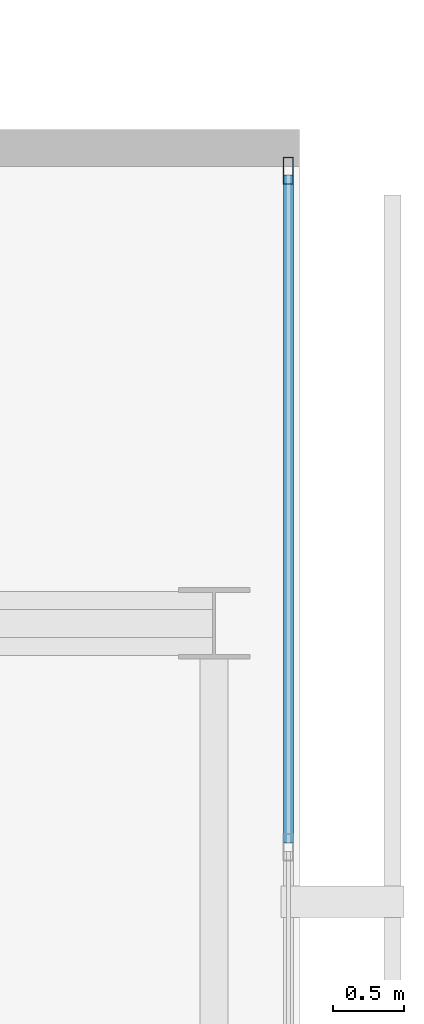
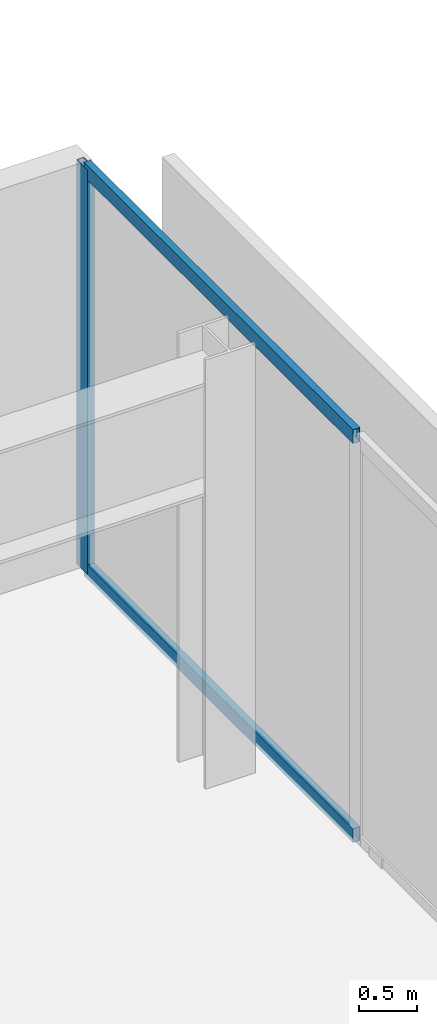
# One storey, part 15 of 23: 3 members, 1 element without a shape of its own.
"""IFC4 building model written with IfcOpenShell, lengths in metres."""

import ifcopenshell
import ifcopenshell.guid

model = None  # the IFC model being written
_history = None  # IfcOwnerHistory: only IFC2X3 demands one
_inside = {}  # id of a spatial element -> (the spatial element, [elements in it])
_under = {}  # id of a project, library or spatial element -> (it, [spatial elements below it])
_declared = {}  # id of a project -> (the project, [libraries it declares])
_typed = {}  # id of a type object -> (the type object, [elements of that type])
_made_of = {}  # id of a material, layer set ... -> (it, [elements and type objects made of it])


def new_model(schema):
    """Start an empty IFC model of exactly this schema.

    Asked for "IFC4X3", IfcOpenShell would pick the latest addendum, in which some entities
    have other attributes; the version numbers below select the first issue.
    IFC2X3 requires an IfcOwnerHistory on every rooted entity: one is made here for all.
    """
    global model, _history
    if schema == "IFC4X3":
        model = ifcopenshell.file(schema_version=(4, 3, 0, 0))
    else:
        model = ifcopenshell.file(schema=schema)
    _inside.clear()
    _under.clear()
    _declared.clear()
    _typed.clear()
    _made_of.clear()
    _history = None
    if model.schema == "IFC2X3":
        org = make("IfcOrganization", Name="unknown")
        user = make(
            "IfcPersonAndOrganization",
            ThePerson=make("IfcPerson", FamilyName="unknown"),
            TheOrganization=org,
        )
        app = make(
            "IfcApplication",
            ApplicationDeveloper=org,
            Version="unknown",
            ApplicationFullName="unknown",
            ApplicationIdentifier="unknown",
        )
        _history = make(
            "IfcOwnerHistory",
            OwningUser=user,
            OwningApplication=app,
            ChangeAction="ADDED",
            CreationDate=0,
        )
    return model


def make(cls, **values):
    """One entity of the class cls with the attributes given. An attribute that is None is left unset."""
    return model.create_entity(
        cls, **{name: value for name, value in values.items() if value is not None}
    )


def rooted(cls, **values):
    """An entity with a GlobalId (a new one), such as an element, a storey or a relation."""
    return make(cls, GlobalId=ifcopenshell.guid.new(), OwnerHistory=_history, **values)


def si_unit(unit_type, name, prefix=None):
    """IfcSIUnit, for example si_unit("LENGTHUNIT", "METRE", prefix="MILLI")."""
    return make("IfcSIUnit", UnitType=unit_type, Prefix=prefix, Name=name)


def assignment(units):
    """IfcUnitAssignment: the units of a project."""
    return None if units is None else make("IfcUnitAssignment", Units=units)


def point(xyz):
    """IfcCartesianPoint."""
    return None if xyz is None else make("IfcCartesianPoint", Coordinates=xyz)


def direction(xyz):
    """IfcDirection."""
    return None if xyz is None else make("IfcDirection", DirectionRatios=xyz)


def frame(location, z_axis=None, x_axis=None):
    """IfcAxis2Placement3D, a coordinate frame: its origin and axes. An axis left out is left unset."""
    return make(
        "IfcAxis2Placement3D",
        Location=point(location),
        Axis=direction(z_axis),
        RefDirection=direction(x_axis),
    )


def frame_2d(location, x_axis=None):
    """IfcAxis2Placement2D, a coordinate frame in the plane: its origin and x axis."""
    return make(
        "IfcAxis2Placement2D", Location=point(location), RefDirection=direction(x_axis)
    )


def origin():
    """The frame at (0, 0, 0) with its axes left unset."""
    return frame((0.0, 0.0, 0.0))


def origin_2d():
    """The frame at (0, 0) in the plane with its x axis left unset."""
    return frame_2d((0.0, 0.0))


def place(relative_to, where):
    """IfcLocalPlacement: puts the frame where relative to a parent placement (None: the world)."""
    return make(
        "IfcLocalPlacement", PlacementRelTo=relative_to, RelativePlacement=where
    )


def context(
    kind, dimensions, precision=None, world=None, true_north=None, identifier=None
):
    """IfcGeometricRepresentationContext, for example the 3D "Model" context."""
    return make(
        "IfcGeometricRepresentationContext",
        ContextIdentifier=identifier,
        ContextType=kind,
        CoordinateSpaceDimension=dimensions,
        Precision=precision,
        WorldCoordinateSystem=world,
        TrueNorth=true_north,
    )


def subcontext(parent, identifier, kind, view, scale=None):
    """IfcGeometricRepresentationSubContext, for example "Body" below "Model"."""
    return make(
        "IfcGeometricRepresentationSubContext",
        ContextIdentifier=identifier,
        ContextType=kind,
        ParentContext=parent,
        TargetScale=scale,
        TargetView=view,
    )


def project(units=None, contexts=None):
    """IfcProject with its units and contexts."""
    return rooted(
        "IfcProject",
        Name="project",
        RepresentationContexts=contexts,
        UnitsInContext=assignment(units),
    )


def spatial(cls, under=None, at=None, **own):
    """A site, building, storey or space (cls), placed at a placement, below another one or the project."""
    s = rooted(cls, ObjectPlacement=at, **own)
    if under is not None:
        _under.setdefault(under.id(), (under, []))[1].append(s)
    return s


def profile(cls, at=None, kind="AREA", **sizes):
    """A parametric profile (cls). Its sizes go by their IFC names, for example OverallWidth=200.0."""
    return make(cls, ProfileType=kind, Position=at, **sizes)


def hollow_rectangle(**sizes):
    """IfcRectangleHollowProfileDef."""
    return profile("IfcRectangleHollowProfileDef", **sizes)


def extrude(swept, where, along, depth):
    """IfcExtrudedAreaSolid: the profile swept, set in the frame where, extruded along a direction by depth."""
    return make(
        "IfcExtrudedAreaSolid",
        SweptArea=swept,
        Position=where,
        ExtrudedDirection=direction(along),
        Depth=depth,
    )


def shape(context_of_items, identifier, shape_type, items):
    """IfcShapeRepresentation: the items that make up one representation, for example the "Body"."""
    return make(
        "IfcShapeRepresentation",
        ContextOfItems=context_of_items,
        RepresentationIdentifier=identifier,
        RepresentationType=shape_type,
        Items=items,
    )


def material(Name=None, Category=None):
    """IfcMaterial."""
    return make("IfcMaterial", Name=Name, Category=Category)


def layer(
    of_material, thickness, ventilated=None, Name=None, Category=None, Priority=None
):
    """IfcMaterialLayer: one layer of a wall or slab, of a material (None: an air gap)."""
    return make(
        "IfcMaterialLayer",
        Material=of_material,
        LayerThickness=thickness,
        IsVentilated=ventilated,
        Name=Name,
        Category=Category,
        Priority=Priority,
    )


def layer_set(layers, Name=None):
    """IfcMaterialLayerSet."""
    return make("IfcMaterialLayerSet", MaterialLayers=layers, LayerSetName=Name)


def material_profile(
    of_material, cross_section, Name=None, Category=None, Priority=None
):
    """IfcMaterialProfile: a cross section and its material."""
    return make(
        "IfcMaterialProfile",
        Name=Name,
        Material=of_material,
        Profile=cross_section,
        Priority=Priority,
        Category=Category,
    )


def profile_set(profiles, Name=None, composite=None):
    """IfcMaterialProfileSet."""
    return make(
        "IfcMaterialProfileSet",
        Name=Name,
        MaterialProfiles=profiles,
        CompositeProfile=composite,
    )


def made_of(thing, what):
    """Note that an element or type object is made of a material, layer set ...; save() writes the relation."""
    if what is not None:
        _made_of.setdefault(what.id(), (what, []))[1].append(thing)
    return thing


def type_object(cls, material=None, **own):
    """A type object (cls), such as IfcWallType, which elements share."""
    return made_of(rooted(cls, **own), material)


def element(
    cls,
    number,
    at=None,
    inside=None,
    cuts=None,
    type_object=None,
    material=None,
    context=None,
    identifier="Body",
    shape_type=None,
    held_by="IfcProductDefinitionShape",
    body=None,
    shapes=None,
    **own,
):
    """One element of the class cls, such as IfcWall. Its Tag is "e" and its number.

    at: its placement. inside: the storey or other place that contains it. cuts: it is an
    opening in that element (IfcRelVoidsElement). A single representation is given by context,
    identifier, shape_type and body (its items); several are given by shapes. held_by: the class
    of the entity that holds the representations. save() writes the other relations.
    """
    e = rooted(cls, Tag="e%d" % number, ObjectPlacement=at, **own)
    if body is not None:
        shapes = [shape(context, identifier, shape_type, body)]
    if shapes is not None:
        e.Representation = make(held_by, Representations=shapes)
    if inside is not None:
        _inside.setdefault(inside.id(), (inside, []))[1].append(e)
    if cuts is not None:
        rooted(
            "IfcRelVoidsElement", RelatingBuildingElement=cuts, RelatedOpeningElement=e
        )
    if type_object is not None:
        _typed.setdefault(type_object.id(), (type_object, []))[1].append(e)
    return made_of(e, material)


def aggregate(whole, parts):
    """IfcRelAggregates: a whole, such as a stair, and the parts it consists of."""
    return rooted("IfcRelAggregates", RelatingObject=whole, RelatedObjects=parts)


def save(model, path):
    """Write the relations noted so far, then the file.

    IfcRelAggregates (storeys below a building ...), IfcRelContainedInSpatialStructure (elements
    in a storey), IfcRelDefinesByType, IfcRelAssociatesMaterial and IfcRelDeclares: one each for
    every whole, place, type object, material and project.
    """
    for whole, parts in _under.values():
        aggregate(whole, parts)
    for where, things in _inside.values():
        rooted(
            "IfcRelContainedInSpatialStructure",
            RelatedElements=things,
            RelatingStructure=where,
        )
    for kind, things in _typed.values():
        rooted("IfcRelDefinesByType", RelatedObjects=things, RelatingType=kind)
    for what, things in _made_of.values():
        rooted("IfcRelAssociatesMaterial", RelatedObjects=things, RelatingMaterial=what)
    for by, libraries in _declared.values():
        rooted("IfcRelDeclares", RelatingContext=by, RelatedDefinitions=libraries)
    model.write(path)


model = new_model("IFC4")

# Units and contexts
model_context = context("Model", 3, precision=1e-05, world=origin(), true_north=direction((0.0, 1.0)))
body_context = subcontext(model_context, "Body", "Model", "MODEL_VIEW")
ifc_project = project(units=[si_unit("LENGTHUNIT", "METRE"), si_unit("AREAUNIT", "SQUARE_METRE"), si_unit("VOLUMEUNIT", "CUBIC_METRE"), si_unit("PLANEANGLEUNIT", "RADIAN"), si_unit("MASSUNIT", "GRAM", prefix="KILO")], contexts=[model_context])

# Site, building, storey
site_placement = place(None, origin())
site = spatial("IfcSite", under=ifc_project, at=site_placement, CompositionType="ELEMENT")
building_placement = place(site_placement, origin())
building = spatial("IfcBuilding", under=site, at=building_placement, Name="Maruvema Waterfront Hotel and Observation Tower", CompositionType="ELEMENT")
storey_placement = place(building_placement, frame((0.0, 0.0, 349.64990234375)))
storey = spatial("IfcBuildingStorey", under=building, at=storey_placement, Name="L86", CompositionType="ELEMENT", Elevation=349.64990234375)

# Curtain wall, members
ifc_material_1 = material(Name="Anodised bronze aluminium and solar-control low-E IGU", Category="aluminium")
ifc_layer = layer(ifc_material_1, 0.159912109375, Name="Observation Crown Structural Glazed Curtain Wall System CW-06")
ifc_layer_set = layer_set([ifc_layer], Name="Anodised bronze aluminium and solar-control low-E IGU")
curtain_wall_type = type_object("IfcCurtainWallType", Name="Observation Crown Structural Glazed Curtain Wall System CW-06", PredefinedType="USERDEFINED", material=ifc_layer_set)
curtain_wall_placement = place(storey_placement, origin())
curtain_wall = element("IfcCurtainWall", 1, at=curtain_wall_placement, inside=storey, type_object=curtain_wall_type, Name="L86 Curtain Wall CW-L86-E", ObjectType="UNITISED CURTAIN WALL", PredefinedType="USERDEFINED")
ifc_material_2 = material(Name="Anodised architectural bronze aluminium", Category="aluminium")
ifc_material_profile_1 = material_profile(ifc_material_2, hollow_rectangle(XDim=0.070068359375, YDim=0.14990234375, WallThickness=0.00390625, at=origin_2d()), Name="ALU-T70x150")
ifc_profile_set_1 = profile_set([ifc_material_profile_1], Name="Anodised architectural bronze aluminium")
member_type_1 = type_object("IfcMemberType", Name="Curtain Wall Horizontal Transom ALU-T70x150", PredefinedType="USERDEFINED", material=ifc_profile_set_1)
member_1_placement = place(storey_placement, frame((57.820068359375, 43.46337890625, 0.030029296875), z_axis=(0.0, 1.0, 0.0), x_axis=(-1.0, 0.0, 0.0)))
member_1 = element("IfcMember", 2, at=member_1_placement, type_object=member_type_1, Name="CW-06 transom 6.1", ObjectType="TRANSOM", PredefinedType="USERDEFINED", context=body_context, shape_type="SweptSolid", body=[
    extrude(hollow_rectangle(XDim=0.070068359375, YDim=0.14990234375, WallThickness=0.00390625, at=origin_2d()), origin(), (0.0, 0.0, 1.0), 4.676513671875),
])
member_2_placement = place(storey_placement, frame((57.820068359375, 43.46337890625, 4.260009765625), z_axis=(0.0, 1.0, 0.0), x_axis=(-1.0, 0.0, 0.0)))
member_2 = element("IfcMember", 3, at=member_2_placement, type_object=member_type_1, Name="CW-06 transom 6.2", ObjectType="TRANSOM", PredefinedType="USERDEFINED", context=body_context, shape_type="SweptSolid", body=[
    extrude(hollow_rectangle(XDim=0.070068359375, YDim=0.14990234375, WallThickness=0.00390625, at=origin_2d()), origin(), (0.0, 0.0, 1.0), 4.676513671875),
])
ifc_material_3 = material(Name="Anodised architectural bronze aluminium", Category="aluminium")
ifc_material_profile_2 = material_profile(ifc_material_3, hollow_rectangle(XDim=0.070068359375, YDim=0.18994140625, WallThickness=0.00390625, at=origin_2d()), Name="ALU-M70x190")
ifc_profile_set_2 = profile_set([ifc_material_profile_2], Name="Anodised architectural bronze aluminium")
member_type_2 = type_object("IfcMemberType", Name="Podium Storefront Heavy Mullion ALU-M70x190", PredefinedType="MULLION", material=ifc_profile_set_2)
member_3_placement = place(storey_placement, frame((57.820068359375, 48.169921875, 0.0), z_axis=(0.0, 0.0, 1.0), x_axis=(-1.0, 0.0, 0.0)))
member_3 = element("IfcMember", 4, at=member_3_placement, type_object=member_type_2, Name="CW-06 mullion 7", PredefinedType="MULLION", context=body_context, shape_type="SweptSolid", body=[
    extrude(hollow_rectangle(XDim=0.070068359375, YDim=0.18994140625, WallThickness=0.00390625, at=origin_2d()), origin(), (0.0, 0.0, 1.0), 4.2900390625),
])
aggregate(curtain_wall, [member_3, member_1, member_2])

save(model, "model.ifc")
